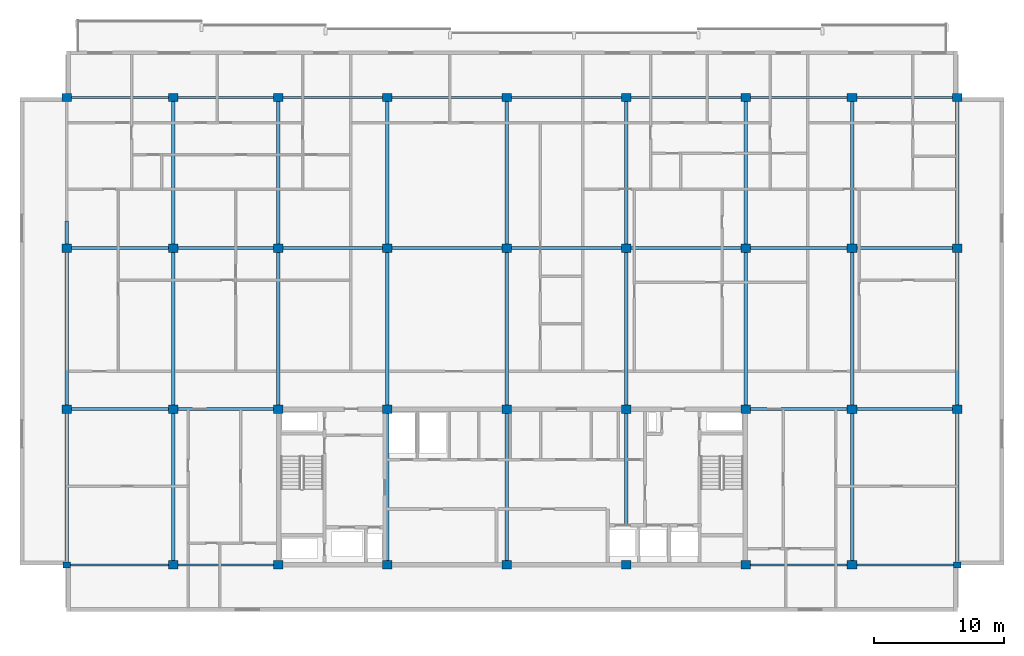
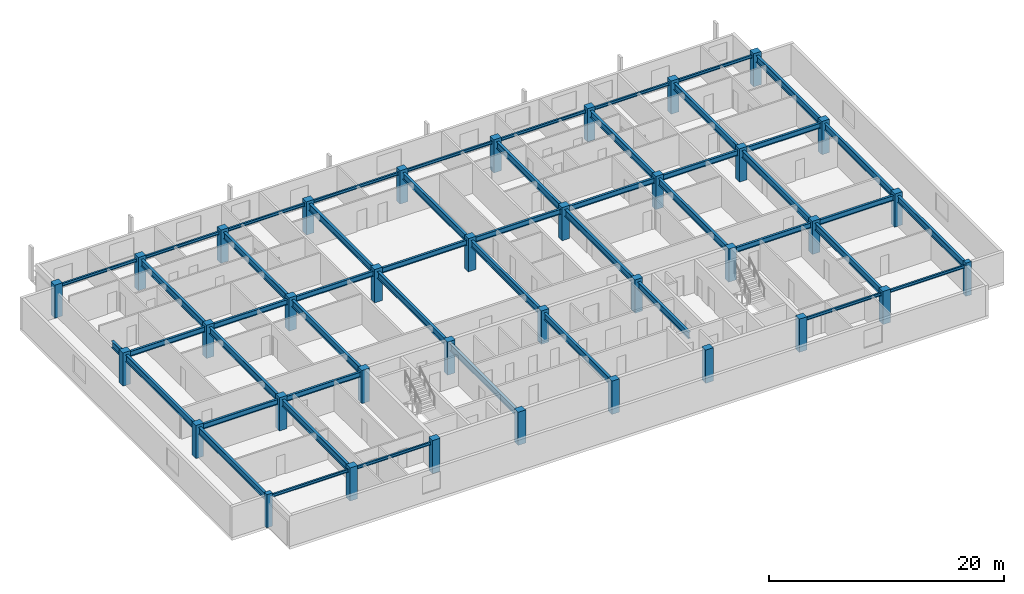
# One storey, part 1 of 10: 49 beams, 36 columns.
"""IFC4 building model written with IfcOpenShell, lengths in metres."""

from ifc_helpers import new_model, si_unit, direction, frame, origin, origin_2d, place, context, subcontext, project, spatial, rectangle, i_section, extrude, material, material_profile, profile_set, type_object, element, save


model = new_model("IFC4")

# Units and contexts
model_context = context("Model", 3, precision=1e-05, world=origin(), true_north=direction((0.0, 1.0)))
body_context = subcontext(model_context, "Body", "Model", "MODEL_VIEW")
ifc_project = project(units=[si_unit("LENGTHUNIT", "METRE"), si_unit("AREAUNIT", "SQUARE_METRE"), si_unit("VOLUMEUNIT", "CUBIC_METRE"), si_unit("PLANEANGLEUNIT", "RADIAN"), si_unit("MASSUNIT", "GRAM", prefix="KILO")], contexts=[model_context])

# Site, building, storey
site_placement = place(None, origin())
site = spatial("IfcSite", under=ifc_project, at=site_placement, CompositionType="ELEMENT")
building_placement = place(site_placement, origin())
building = spatial("IfcBuilding", under=site, at=building_placement, Name="Korimba Cascade Residences", CompositionType="ELEMENT")
storey_placement = place(building_placement, frame((0.0, 0.0, 232.10009765625)))
storey = spatial("IfcBuildingStorey", under=building, at=storey_placement, Name="L67", CompositionType="ELEMENT", Elevation=232.10009765625)

# Columns
ifc_material_1 = material(Name="Concrete C65/80", Category="concrete")
ifc_material_profile_1 = material_profile(ifc_material_1, rectangle(XDim=0.550048828125, YDim=0.449951171875, at=origin_2d()), Name="Concrete C65/80")
ifc_profile_set_1 = profile_set([ifc_material_profile_1], Name="Concrete C65/80")
column_type_1 = type_object("IfcColumnType", Name="COL-PIL-550", PredefinedType="PILASTER", material=ifc_profile_set_1)
for number, where, z_axis, x_axis, name in (
    (1, (59.800048828125, 55.199951171875, 0.0), (0.0, 0.0, 1.0), (1.0, 0.0, 0.0), "L67 Tower 1 Column 1.1"),
    (2, (128.39990234375, 55.199951171875, 0.0), (0.0, 0.0, 1.0), (1.0, 0.0, 0.0), "L67 Tower 1 Column 9.1"),
):
    element("IfcColumn", number, at=place(storey_placement, frame(where, z_axis=z_axis, x_axis=x_axis)), inside=storey, type_object=column_type_1, Name=name, PredefinedType="PILASTER", context=body_context, shape_type="SweptSolid", body=[
        extrude(rectangle(XDim=0.550048828125, YDim=0.449951171875, at=origin_2d()), origin(), (0.0, 0.0, 1.0), 3.449951171875),
    ])
ifc_material_2 = material(Name="Concrete C50/60", Category="concrete")
ifc_material_profile_2 = material_profile(ifc_material_2, rectangle(XDim=0.75, YDim=0.64990234375, at=origin_2d()), Name="Concrete C50/60")
ifc_profile_set_2 = profile_set([ifc_material_profile_2], Name="Concrete C50/60")
column_type_2 = type_object("IfcColumnType", Name="COL-RC-750", PredefinedType="COLUMN", material=ifc_profile_set_2)
for number, where, z_axis, x_axis, name in (
    (3, (59.800048828125, 67.199951171875, 0.0), (0.0, 0.0, 1.0), (1.0, 0.0, 0.0), "L67 Tower 1 Column 1.2"),
    (4, (59.800048828125, 79.60009765625, 0.0), (0.0, 0.0, 1.0), (1.0, 0.0, 0.0), "L67 Tower 1 Column 1.3"),
    (5, (59.800048828125, 91.199951171875, 0.0), (0.0, 0.0, 1.0), (1.0, 0.0, 0.0), "L67 Tower 1 Column 1.4"),
    (6, (68.0, 55.199951171875, 0.0), (0.0, 0.0, 1.0), (1.0, 0.0, 0.0), "L67 Tower 1 Column 2.1"),
    (7, (68.0, 67.199951171875, 0.0), (0.0, 0.0, 1.0), (1.0, 0.0, 0.0), "L67 Tower 1 Column 2.2"),
    (8, (68.0, 79.60009765625, 0.0), (0.0, 0.0, 1.0), (1.0, 0.0, 0.0), "L67 Tower 1 Column 2.3"),
    (9, (68.0, 91.199951171875, 0.0), (0.0, 0.0, 1.0), (1.0, 0.0, 0.0), "L67 Tower 1 Column 2.4"),
    (10, (76.10009765625, 55.199951171875, 0.0), (0.0, 0.0, 1.0), (1.0, 0.0, 0.0), "L67 Tower 1 Column 3.1"),
    (11, (76.10009765625, 67.199951171875, 0.0), (0.0, 0.0, 1.0), (1.0, 0.0, 0.0), "L67 Tower 1 Column 3.2"),
    (12, (76.10009765625, 79.60009765625, 0.0), (0.0, 0.0, 1.0), (1.0, 0.0, 0.0), "L67 Tower 1 Column 3.3"),
    (13, (76.10009765625, 91.199951171875, 0.0), (0.0, 0.0, 1.0), (1.0, 0.0, 0.0), "L67 Tower 1 Column 3.4"),
    (14, (84.5, 55.199951171875, 0.0), (0.0, 0.0, 1.0), (1.0, 0.0, 0.0), "L67 Tower 1 Column 4.1"),
    (15, (84.5, 67.199951171875, 0.0), (0.0, 0.0, 1.0), (1.0, 0.0, 0.0), "L67 Tower 1 Column 4.2"),
    (16, (84.5, 79.60009765625, 0.0), (0.0, 0.0, 1.0), (1.0, 0.0, 0.0), "L67 Tower 1 Column 4.3"),
    (17, (84.5, 91.199951171875, 0.0), (0.0, 0.0, 1.0), (1.0, 0.0, 0.0), "L67 Tower 1 Column 4.4"),
    (18, (93.699951171875, 55.199951171875, 0.0), (0.0, 0.0, 1.0), (1.0, 0.0, 0.0), "L67 Tower 1 Column 5.1"),
    (19, (93.699951171875, 67.199951171875, 0.0), (0.0, 0.0, 1.0), (1.0, 0.0, 0.0), "L67 Tower 1 Column 5.2"),
    (20, (93.699951171875, 79.60009765625, 0.0), (0.0, 0.0, 1.0), (1.0, 0.0, 0.0), "L67 Tower 1 Column 5.3"),
    (21, (93.699951171875, 91.199951171875, 0.0), (0.0, 0.0, 1.0), (1.0, 0.0, 0.0), "L67 Tower 1 Column 5.4"),
    (22, (102.89990234375, 55.199951171875, 0.0), (0.0, 0.0, 1.0), (1.0, 0.0, 0.0), "L67 Tower 1 Column 6.1"),
    (23, (102.89990234375, 67.199951171875, 0.0), (0.0, 0.0, 1.0), (1.0, 0.0, 0.0), "L67 Tower 1 Column 6.2"),
    (24, (102.89990234375, 79.60009765625, 0.0), (0.0, 0.0, 1.0), (1.0, 0.0, 0.0), "L67 Tower 1 Column 6.3"),
    (25, (102.89990234375, 91.199951171875, 0.0), (0.0, 0.0, 1.0), (1.0, 0.0, 0.0), "L67 Tower 1 Column 6.4"),
    (26, (112.10009765625, 55.199951171875, 0.0), (0.0, 0.0, 1.0), (1.0, 0.0, 0.0), "L67 Tower 1 Column 7.1"),
    (27, (112.10009765625, 67.199951171875, 0.0), (0.0, 0.0, 1.0), (1.0, 0.0, 0.0), "L67 Tower 1 Column 7.2"),
    (28, (112.10009765625, 79.60009765625, 0.0), (0.0, 0.0, 1.0), (1.0, 0.0, 0.0), "L67 Tower 1 Column 7.3"),
    (29, (112.10009765625, 91.199951171875, 0.0), (0.0, 0.0, 1.0), (1.0, 0.0, 0.0), "L67 Tower 1 Column 7.4"),
    (30, (120.300048828125, 55.199951171875, 0.0), (0.0, 0.0, 1.0), (1.0, 0.0, 0.0), "L67 Tower 1 Column 8.1"),
    (31, (120.300048828125, 67.199951171875, 0.0), (0.0, 0.0, 1.0), (1.0, 0.0, 0.0), "L67 Tower 1 Column 8.2"),
    (32, (120.300048828125, 79.60009765625, 0.0), (0.0, 0.0, 1.0), (1.0, 0.0, 0.0), "L67 Tower 1 Column 8.3"),
    (33, (120.300048828125, 91.199951171875, 0.0), (0.0, 0.0, 1.0), (1.0, 0.0, 0.0), "L67 Tower 1 Column 8.4"),
    (34, (128.39990234375, 67.199951171875, 0.0), (0.0, 0.0, 1.0), (1.0, 0.0, 0.0), "L67 Tower 1 Column 9.2"),
    (35, (128.39990234375, 79.60009765625, 0.0), (0.0, 0.0, 1.0), (1.0, 0.0, 0.0), "L67 Tower 1 Column 9.3"),
    (36, (128.39990234375, 91.199951171875, 0.0), (0.0, 0.0, 1.0), (1.0, 0.0, 0.0), "L67 Tower 1 Column 9.4"),
):
    element("IfcColumn", number, at=place(storey_placement, frame(where, z_axis=z_axis, x_axis=x_axis)), inside=storey, type_object=column_type_2, Name=name, PredefinedType="COLUMN", context=body_context, shape_type="SweptSolid", body=[
        extrude(rectangle(XDim=0.75, YDim=0.64990234375, at=origin_2d()), origin(), (0.0, 0.0, 1.0), 3.449951171875),
    ])

# Beams
ifc_material_3 = material(Name="Steel S355", Category="steel")
ifc_material_profile_3 = material_profile(ifc_material_3, i_section(OverallWidth=0.165771484375, OverallDepth=0.306640625, WebThickness=0.006591796875, FlangeThickness=0.01171875, FilletRadius=0.0087890625, at=origin_2d()), Name="Steel S355")
ifc_profile_set_3 = profile_set([ifc_material_profile_3], Name="Steel S355")
beam_type_1 = type_object("IfcBeamType", Name="BM-STL-UB305", PredefinedType="SPANDREL", material=ifc_profile_set_3)
beam_1_placement = place(storey_placement, frame((60.074951171875, 55.199951171875, 3.0166015625), z_axis=(1.0, 0.0, 0.0), x_axis=(0.0, 1.0, 0.0)))
element("IfcBeam", 37, at=beam_1_placement, inside=storey, type_object=beam_type_1, Name="L67 T1 E-W Girder Y1 Bay 1", PredefinedType="SPANDREL", context=body_context, shape_type="SweptSolid", body=[
    extrude(i_section(OverallWidth=0.165771484375, OverallDepth=0.306640625, WebThickness=0.006591796875, FlangeThickness=0.01171875, FilletRadius=0.0087890625, at=origin_2d()), origin(), (0.0, 0.0, 1.0), 7.550048828125),
])
beam_2_placement = place(storey_placement, frame((68.375, 55.199951171875, 3.0166015625), z_axis=(1.0, 0.0, 0.0), x_axis=(0.0, 1.0, 0.0)))
element("IfcBeam", 38, at=beam_2_placement, inside=storey, type_object=beam_type_1, Name="L67 T1 E-W Girder Y1 Bay 2", PredefinedType="SPANDREL", context=body_context, shape_type="SweptSolid", body=[
    extrude(i_section(OverallWidth=0.165771484375, OverallDepth=0.306640625, WebThickness=0.006591796875, FlangeThickness=0.01171875, FilletRadius=0.0087890625, at=origin_2d()), origin(), (0.0, 0.0, 1.0), 7.35009765625),
])
for number, where, z_axis, x_axis, name in (
    (39, (112.47509765625, 55.199951171875, 3.0166015625), (1.0, 0.0, 0.0), (0.0, 1.0, 0.0), "L67 T1 E-W Girder Y1 Bay 7"),
    (40, (120.675048828125, 55.199951171875, 3.0166015625), (1.0, 0.0, 0.0), (0.0, 1.0, 0.0), "L67 T1 E-W Girder Y1 Bay 8"),
    (41, (60.175048828125, 91.199951171875, 3.0166015625), (1.0, 0.0, 0.0), (0.0, 1.0, 0.0), "L67 T1 E-W Girder Y4 Bay 1"),
):
    element("IfcBeam", number, at=place(storey_placement, frame(where, z_axis=z_axis, x_axis=x_axis)), inside=storey, type_object=beam_type_1, Name=name, PredefinedType="SPANDREL", context=body_context, shape_type="SweptSolid", body=[
        extrude(i_section(OverallWidth=0.165771484375, OverallDepth=0.306640625, WebThickness=0.006591796875, FlangeThickness=0.01171875, FilletRadius=0.0087890625, at=origin_2d()), origin(), (0.0, 0.0, 1.0), 7.449951171875),
    ])
beam_3_placement = place(storey_placement, frame((68.375, 91.199951171875, 3.0166015625), z_axis=(1.0, 0.0, 0.0), x_axis=(0.0, 1.0, 0.0)))
element("IfcBeam", 42, at=beam_3_placement, inside=storey, type_object=beam_type_1, Name="L67 T1 E-W Girder Y4 Bay 2", PredefinedType="SPANDREL", context=body_context, shape_type="SweptSolid", body=[
    extrude(i_section(OverallWidth=0.165771484375, OverallDepth=0.306640625, WebThickness=0.006591796875, FlangeThickness=0.01171875, FilletRadius=0.0087890625, at=origin_2d()), origin(), (0.0, 0.0, 1.0), 7.35009765625),
])
beam_4_placement = place(storey_placement, frame((76.47509765625, 91.199951171875, 3.0166015625), z_axis=(1.0, 0.0, 0.0), x_axis=(0.0, 1.0, 0.0)))
element("IfcBeam", 43, at=beam_4_placement, inside=storey, type_object=beam_type_1, Name="L67 T1 E-W Girder Y4 Bay 3", PredefinedType="SPANDREL", context=body_context, shape_type="SweptSolid", body=[
    extrude(i_section(OverallWidth=0.165771484375, OverallDepth=0.306640625, WebThickness=0.006591796875, FlangeThickness=0.01171875, FilletRadius=0.0087890625, at=origin_2d()), origin(), (0.0, 0.0, 1.0), 7.64990234375),
])
for number, where, z_axis, x_axis, name in (
    (44, (84.875, 91.199951171875, 3.0166015625), (1.0, 0.0, 0.0), (0.0, 1.0, 0.0), "L67 T1 E-W Girder Y4 Bay 4"),
    (45, (94.074951171875, 91.199951171875, 3.0166015625), (1.0, 0.0, 0.0), (0.0, 1.0, 0.0), "L67 T1 E-W Girder Y4 Bay 5"),
):
    element("IfcBeam", number, at=place(storey_placement, frame(where, z_axis=z_axis, x_axis=x_axis)), inside=storey, type_object=beam_type_1, Name=name, PredefinedType="SPANDREL", context=body_context, shape_type="SweptSolid", body=[
        extrude(i_section(OverallWidth=0.165771484375, OverallDepth=0.306640625, WebThickness=0.006591796875, FlangeThickness=0.01171875, FilletRadius=0.0087890625, at=origin_2d()), origin(), (0.0, 0.0, 1.0), 8.449951171875),
    ])
beam_5_placement = place(storey_placement, frame((103.27490234375, 91.199951171875, 3.0166015625), z_axis=(1.0, 0.0, 0.0), x_axis=(0.0, 1.0, 0.0)))
element("IfcBeam", 46, at=beam_5_placement, inside=storey, type_object=beam_type_1, Name="L67 T1 E-W Girder Y4 Bay 6", PredefinedType="SPANDREL", context=body_context, shape_type="SweptSolid", body=[
    extrude(i_section(OverallWidth=0.165771484375, OverallDepth=0.306640625, WebThickness=0.006591796875, FlangeThickness=0.01171875, FilletRadius=0.0087890625, at=origin_2d()), origin(), (0.0, 0.0, 1.0), 8.4501953125),
])
beam_6_placement = place(storey_placement, frame((112.47509765625, 91.199951171875, 3.0166015625), z_axis=(1.0, 0.0, 0.0), x_axis=(0.0, 1.0, 0.0)))
element("IfcBeam", 47, at=beam_6_placement, inside=storey, type_object=beam_type_1, Name="L67 T1 E-W Girder Y4 Bay 7", PredefinedType="SPANDREL", context=body_context, shape_type="SweptSolid", body=[
    extrude(i_section(OverallWidth=0.165771484375, OverallDepth=0.306640625, WebThickness=0.006591796875, FlangeThickness=0.01171875, FilletRadius=0.0087890625, at=origin_2d()), origin(), (0.0, 0.0, 1.0), 7.449951171875),
])
beam_7_placement = place(storey_placement, frame((120.675048828125, 91.199951171875, 3.0166015625), z_axis=(1.0, 0.0, 0.0), x_axis=(0.0, 1.0, 0.0)))
element("IfcBeam", 48, at=beam_7_placement, inside=storey, type_object=beam_type_1, Name="L67 T1 E-W Girder Y4 Bay 8", PredefinedType="SPANDREL", context=body_context, shape_type="SweptSolid", body=[
    extrude(i_section(OverallWidth=0.165771484375, OverallDepth=0.306640625, WebThickness=0.006591796875, FlangeThickness=0.01171875, FilletRadius=0.0087890625, at=origin_2d()), origin(), (0.0, 0.0, 1.0), 7.349853515625),
])
ifc_material_profile_4 = material_profile(ifc_material_3, i_section(OverallWidth=0.2099609375, OverallDepth=0.53662109375, WebThickness=0.0107421875, FlangeThickness=0.017333984375, FilletRadius=0.0126953125, at=origin_2d()), Name="Steel S355")
ifc_profile_set_4 = profile_set([ifc_material_profile_4], Name="Steel S355")
beam_type_2 = type_object("IfcBeamType", Name="BM-STL-UB533", PredefinedType="BEAM", material=ifc_profile_set_4)
beam_8_placement = place(storey_placement, frame((60.175048828125, 67.199951171875, 2.901611328125), z_axis=(1.0, 0.0, 0.0), x_axis=(0.0, 1.0, 0.0)))
element("IfcBeam", 49, at=beam_8_placement, inside=storey, type_object=beam_type_2, Name="L67 T1 E-W Girder Y2 Bay 1", PredefinedType="BEAM", context=body_context, shape_type="SweptSolid", body=[
    extrude(i_section(OverallWidth=0.2099609375, OverallDepth=0.53662109375, WebThickness=0.0107421875, FlangeThickness=0.017333984375, FilletRadius=0.0126953125, at=origin_2d()), origin(), (0.0, 0.0, 1.0), 7.449951171875),
])
beam_9_placement = place(storey_placement, frame((68.375, 67.199951171875, 2.901611328125), z_axis=(1.0, 0.0, 0.0), x_axis=(0.0, 1.0, 0.0)))
element("IfcBeam", 50, at=beam_9_placement, inside=storey, type_object=beam_type_2, Name="L67 T1 E-W Girder Y2 Bay 2", PredefinedType="BEAM", context=body_context, shape_type="SweptSolid", body=[
    extrude(i_section(OverallWidth=0.2099609375, OverallDepth=0.53662109375, WebThickness=0.0107421875, FlangeThickness=0.017333984375, FilletRadius=0.0126953125, at=origin_2d()), origin(), (0.0, 0.0, 1.0), 7.35009765625),
])
beam_10_placement = place(storey_placement, frame((112.47509765625, 67.199951171875, 2.901611328125), z_axis=(1.0, 0.0, 0.0), x_axis=(0.0, 1.0, 0.0)))
element("IfcBeam", 51, at=beam_10_placement, inside=storey, type_object=beam_type_2, Name="L67 T1 E-W Girder Y2 Bay 7", PredefinedType="BEAM", context=body_context, shape_type="SweptSolid", body=[
    extrude(i_section(OverallWidth=0.2099609375, OverallDepth=0.53662109375, WebThickness=0.0107421875, FlangeThickness=0.017333984375, FilletRadius=0.0126953125, at=origin_2d()), origin(), (0.0, 0.0, 1.0), 7.449951171875),
])
beam_11_placement = place(storey_placement, frame((120.675048828125, 67.199951171875, 2.901611328125), z_axis=(1.0, 0.0, 0.0), x_axis=(0.0, 1.0, 0.0)))
element("IfcBeam", 52, at=beam_11_placement, inside=storey, type_object=beam_type_2, Name="L67 T1 E-W Girder Y2 Bay 8", PredefinedType="BEAM", context=body_context, shape_type="SweptSolid", body=[
    extrude(i_section(OverallWidth=0.2099609375, OverallDepth=0.53662109375, WebThickness=0.0107421875, FlangeThickness=0.017333984375, FilletRadius=0.0126953125, at=origin_2d()), origin(), (0.0, 0.0, 1.0), 7.349853515625),
])
beam_12_placement = place(storey_placement, frame((60.175048828125, 79.60009765625, 2.901611328125), z_axis=(1.0, 0.0, 0.0), x_axis=(0.0, 1.0, 0.0)))
element("IfcBeam", 53, at=beam_12_placement, inside=storey, type_object=beam_type_2, Name="L67 T1 E-W Girder Y3 Bay 1", PredefinedType="BEAM", context=body_context, shape_type="SweptSolid", body=[
    extrude(i_section(OverallWidth=0.2099609375, OverallDepth=0.53662109375, WebThickness=0.0107421875, FlangeThickness=0.017333984375, FilletRadius=0.0126953125, at=origin_2d()), origin(), (0.0, 0.0, 1.0), 7.449951171875),
])
beam_13_placement = place(storey_placement, frame((68.375, 79.60009765625, 2.901611328125), z_axis=(1.0, 0.0, 0.0), x_axis=(0.0, 1.0, 0.0)))
element("IfcBeam", 54, at=beam_13_placement, inside=storey, type_object=beam_type_2, Name="L67 T1 E-W Girder Y3 Bay 2", PredefinedType="BEAM", context=body_context, shape_type="SweptSolid", body=[
    extrude(i_section(OverallWidth=0.2099609375, OverallDepth=0.53662109375, WebThickness=0.0107421875, FlangeThickness=0.017333984375, FilletRadius=0.0126953125, at=origin_2d()), origin(), (0.0, 0.0, 1.0), 7.35009765625),
])
beam_14_placement = place(storey_placement, frame((76.47509765625, 79.60009765625, 2.901611328125), z_axis=(1.0, 0.0, 0.0), x_axis=(0.0, 1.0, 0.0)))
element("IfcBeam", 55, at=beam_14_placement, inside=storey, type_object=beam_type_2, Name="L67 T1 E-W Girder Y3 Bay 3", PredefinedType="BEAM", context=body_context, shape_type="SweptSolid", body=[
    extrude(i_section(OverallWidth=0.2099609375, OverallDepth=0.53662109375, WebThickness=0.0107421875, FlangeThickness=0.017333984375, FilletRadius=0.0126953125, at=origin_2d()), origin(), (0.0, 0.0, 1.0), 7.64990234375),
])
for number, where, z_axis, x_axis, name in (
    (56, (84.875, 79.60009765625, 2.901611328125), (1.0, 0.0, 0.0), (0.0, 1.0, 0.0), "L67 T1 E-W Girder Y3 Bay 4"),
    (57, (94.074951171875, 79.60009765625, 2.901611328125), (1.0, 0.0, 0.0), (0.0, 1.0, 0.0), "L67 T1 E-W Girder Y3 Bay 5"),
):
    element("IfcBeam", number, at=place(storey_placement, frame(where, z_axis=z_axis, x_axis=x_axis)), inside=storey, type_object=beam_type_2, Name=name, PredefinedType="BEAM", context=body_context, shape_type="SweptSolid", body=[
        extrude(i_section(OverallWidth=0.2099609375, OverallDepth=0.53662109375, WebThickness=0.0107421875, FlangeThickness=0.017333984375, FilletRadius=0.0126953125, at=origin_2d()), origin(), (0.0, 0.0, 1.0), 8.449951171875),
    ])
beam_15_placement = place(storey_placement, frame((103.27490234375, 79.60009765625, 2.901611328125), z_axis=(1.0, 0.0, 0.0), x_axis=(0.0, 1.0, 0.0)))
element("IfcBeam", 58, at=beam_15_placement, inside=storey, type_object=beam_type_2, Name="L67 T1 E-W Girder Y3 Bay 6", PredefinedType="BEAM", context=body_context, shape_type="SweptSolid", body=[
    extrude(i_section(OverallWidth=0.2099609375, OverallDepth=0.53662109375, WebThickness=0.0107421875, FlangeThickness=0.017333984375, FilletRadius=0.0126953125, at=origin_2d()), origin(), (0.0, 0.0, 1.0), 8.4501953125),
])
beam_16_placement = place(storey_placement, frame((112.47509765625, 79.60009765625, 2.901611328125), z_axis=(1.0, 0.0, 0.0), x_axis=(0.0, 1.0, 0.0)))
element("IfcBeam", 59, at=beam_16_placement, inside=storey, type_object=beam_type_2, Name="L67 T1 E-W Girder Y3 Bay 7", PredefinedType="BEAM", context=body_context, shape_type="SweptSolid", body=[
    extrude(i_section(OverallWidth=0.2099609375, OverallDepth=0.53662109375, WebThickness=0.0107421875, FlangeThickness=0.017333984375, FilletRadius=0.0126953125, at=origin_2d()), origin(), (0.0, 0.0, 1.0), 7.449951171875),
])
beam_17_placement = place(storey_placement, frame((120.675048828125, 79.60009765625, 2.901611328125), z_axis=(1.0, 0.0, 0.0), x_axis=(0.0, 1.0, 0.0)))
element("IfcBeam", 60, at=beam_17_placement, inside=storey, type_object=beam_type_2, Name="L67 T1 E-W Girder Y3 Bay 8", PredefinedType="BEAM", context=body_context, shape_type="SweptSolid", body=[
    extrude(i_section(OverallWidth=0.2099609375, OverallDepth=0.53662109375, WebThickness=0.0107421875, FlangeThickness=0.017333984375, FilletRadius=0.0126953125, at=origin_2d()), origin(), (0.0, 0.0, 1.0), 7.349853515625),
])
ifc_material_profile_5 = material_profile(ifc_material_3, i_section(OverallWidth=0.255859375, OverallDepth=0.69287109375, WebThickness=0.014404296875, FlangeThickness=0.023681640625, FilletRadius=0.01513671875, at=origin_2d()), Name="Steel S355")
ifc_profile_set_5 = profile_set([ifc_material_profile_5], Name="Steel S355")
beam_type_3 = type_object("IfcBeamType", Name="BM-STL-UB686", PredefinedType="BEAM", material=ifc_profile_set_5)
beam_18_placement = place(storey_placement, frame((59.800048828125, 55.425048828125, 2.823486328125), z_axis=(0.0, 1.0, 0.0), x_axis=(-1.0, 0.0, 0.0)))
element("IfcBeam", 61, at=beam_18_placement, inside=storey, type_object=beam_type_3, Name="L67 T1 N-S Girder X1 Seg 1", PredefinedType="BEAM", context=body_context, shape_type="SweptSolid", body=[
    extrude(i_section(OverallWidth=0.255859375, OverallDepth=0.69287109375, WebThickness=0.014404296875, FlangeThickness=0.023681640625, FilletRadius=0.01513671875, at=origin_2d()), origin(), (0.0, 0.0, 1.0), 11.449951171875),
])
beam_19_placement = place(storey_placement, frame((59.800048828125, 67.52490234375, 2.823486328125), z_axis=(0.0, 1.0, 0.0), x_axis=(-1.0, 0.0, 0.0)))
element("IfcBeam", 62, at=beam_19_placement, inside=storey, type_object=beam_type_3, Name="L67 T1 N-S Girder X1 Seg 2", PredefinedType="BEAM", context=body_context, shape_type="SweptSolid", body=[
    extrude(i_section(OverallWidth=0.255859375, OverallDepth=0.69287109375, WebThickness=0.014404296875, FlangeThickness=0.023681640625, FilletRadius=0.01513671875, at=origin_2d()), origin(), (0.0, 0.0, 1.0), 11.75),
])
beam_20_placement = place(storey_placement, frame((59.800048828125, 79.925048828125, 2.823486328125), z_axis=(0.0, 1.0, 0.0), x_axis=(-1.0, 0.0, 0.0)))
element("IfcBeam", 63, at=beam_20_placement, inside=storey, type_object=beam_type_3, Name="L67 T1 N-S Girder X1 Seg 3", PredefinedType="BEAM", context=body_context, shape_type="SweptSolid", body=[
    extrude(i_section(OverallWidth=0.255859375, OverallDepth=0.69287109375, WebThickness=0.014404296875, FlangeThickness=0.023681640625, FilletRadius=0.01513671875, at=origin_2d()), origin(), (0.0, 0.0, 1.0), 1.77490234375),
])
beam_21_placement = place(storey_placement, frame((68.0, 55.52490234375, 2.823486328125), z_axis=(0.0, 1.0, 0.0), x_axis=(-1.0, 0.0, 0.0)))
element("IfcBeam", 64, at=beam_21_placement, inside=storey, type_object=beam_type_3, Name="L67 T1 N-S Girder X2 Seg 1", PredefinedType="BEAM", context=body_context, shape_type="SweptSolid", body=[
    extrude(i_section(OverallWidth=0.255859375, OverallDepth=0.69287109375, WebThickness=0.014404296875, FlangeThickness=0.023681640625, FilletRadius=0.01513671875, at=origin_2d()), origin(), (0.0, 0.0, 1.0), 11.35009765625),
])
beam_22_placement = place(storey_placement, frame((68.0, 67.52490234375, 2.823486328125), z_axis=(0.0, 1.0, 0.0), x_axis=(-1.0, 0.0, 0.0)))
element("IfcBeam", 65, at=beam_22_placement, inside=storey, type_object=beam_type_3, Name="L67 T1 N-S Girder X2 Seg 2", PredefinedType="BEAM", context=body_context, shape_type="SweptSolid", body=[
    extrude(i_section(OverallWidth=0.255859375, OverallDepth=0.69287109375, WebThickness=0.014404296875, FlangeThickness=0.023681640625, FilletRadius=0.01513671875, at=origin_2d()), origin(), (0.0, 0.0, 1.0), 11.75),
])
beam_23_placement = place(storey_placement, frame((68.0, 79.925048828125, 2.823486328125), z_axis=(0.0, 1.0, 0.0), x_axis=(-1.0, 0.0, 0.0)))
element("IfcBeam", 66, at=beam_23_placement, inside=storey, type_object=beam_type_3, Name="L67 T1 N-S Girder X2 Seg 3", PredefinedType="BEAM", context=body_context, shape_type="SweptSolid", body=[
    extrude(i_section(OverallWidth=0.255859375, OverallDepth=0.69287109375, WebThickness=0.014404296875, FlangeThickness=0.023681640625, FilletRadius=0.01513671875, at=origin_2d()), origin(), (0.0, 0.0, 1.0), 10.949951171875),
])
beam_24_placement = place(storey_placement, frame((76.10009765625, 67.52490234375, 2.823486328125), z_axis=(0.0, 1.0, 0.0), x_axis=(-1.0, 0.0, 0.0)))
element("IfcBeam", 67, at=beam_24_placement, inside=storey, type_object=beam_type_3, Name="L67 T1 N-S Girder X3 Seg 2", PredefinedType="BEAM", context=body_context, shape_type="SweptSolid", body=[
    extrude(i_section(OverallWidth=0.255859375, OverallDepth=0.69287109375, WebThickness=0.014404296875, FlangeThickness=0.023681640625, FilletRadius=0.01513671875, at=origin_2d()), origin(), (0.0, 0.0, 1.0), 11.75),
])
beam_25_placement = place(storey_placement, frame((76.10009765625, 79.925048828125, 2.823486328125), z_axis=(0.0, 1.0, 0.0), x_axis=(-1.0, 0.0, 0.0)))
element("IfcBeam", 68, at=beam_25_placement, inside=storey, type_object=beam_type_3, Name="L67 T1 N-S Girder X3 Seg 3", PredefinedType="BEAM", context=body_context, shape_type="SweptSolid", body=[
    extrude(i_section(OverallWidth=0.255859375, OverallDepth=0.69287109375, WebThickness=0.014404296875, FlangeThickness=0.023681640625, FilletRadius=0.01513671875, at=origin_2d()), origin(), (0.0, 0.0, 1.0), 10.949951171875),
])
beam_26_placement = place(storey_placement, frame((84.5, 55.52490234375, 2.823486328125), z_axis=(0.0, 1.0, 0.0), x_axis=(-1.0, 0.0, 0.0)))
element("IfcBeam", 69, at=beam_26_placement, inside=storey, type_object=beam_type_3, Name="L67 T1 N-S Girder X4 Seg 1", PredefinedType="BEAM", context=body_context, shape_type="SweptSolid", body=[
    extrude(i_section(OverallWidth=0.255859375, OverallDepth=0.69287109375, WebThickness=0.014404296875, FlangeThickness=0.023681640625, FilletRadius=0.01513671875, at=origin_2d()), origin(), (0.0, 0.0, 1.0), 11.35009765625),
])
beam_27_placement = place(storey_placement, frame((84.5, 67.52490234375, 2.823486328125), z_axis=(0.0, 1.0, 0.0), x_axis=(-1.0, 0.0, 0.0)))
element("IfcBeam", 70, at=beam_27_placement, inside=storey, type_object=beam_type_3, Name="L67 T1 N-S Girder X4 Seg 2", PredefinedType="BEAM", context=body_context, shape_type="SweptSolid", body=[
    extrude(i_section(OverallWidth=0.255859375, OverallDepth=0.69287109375, WebThickness=0.014404296875, FlangeThickness=0.023681640625, FilletRadius=0.01513671875, at=origin_2d()), origin(), (0.0, 0.0, 1.0), 11.75),
])
beam_28_placement = place(storey_placement, frame((84.5, 79.925048828125, 2.823486328125), z_axis=(0.0, 1.0, 0.0), x_axis=(-1.0, 0.0, 0.0)))
element("IfcBeam", 71, at=beam_28_placement, inside=storey, type_object=beam_type_3, Name="L67 T1 N-S Girder X4 Seg 3", PredefinedType="BEAM", context=body_context, shape_type="SweptSolid", body=[
    extrude(i_section(OverallWidth=0.255859375, OverallDepth=0.69287109375, WebThickness=0.014404296875, FlangeThickness=0.023681640625, FilletRadius=0.01513671875, at=origin_2d()), origin(), (0.0, 0.0, 1.0), 10.949951171875),
])
beam_29_placement = place(storey_placement, frame((93.699951171875, 55.52490234375, 2.823486328125), z_axis=(0.0, 1.0, 0.0), x_axis=(-1.0, 0.0, 0.0)))
element("IfcBeam", 72, at=beam_29_placement, inside=storey, type_object=beam_type_3, Name="L67 T1 N-S Girder X5 Seg 1", PredefinedType="BEAM", context=body_context, shape_type="SweptSolid", body=[
    extrude(i_section(OverallWidth=0.255859375, OverallDepth=0.69287109375, WebThickness=0.014404296875, FlangeThickness=0.023681640625, FilletRadius=0.01513671875, at=origin_2d()), origin(), (0.0, 0.0, 1.0), 11.35009765625),
])
beam_30_placement = place(storey_placement, frame((93.699951171875, 67.52490234375, 2.823486328125), z_axis=(0.0, 1.0, 0.0), x_axis=(-1.0, 0.0, 0.0)))
element("IfcBeam", 73, at=beam_30_placement, inside=storey, type_object=beam_type_3, Name="L67 T1 N-S Girder X5 Seg 2", PredefinedType="BEAM", context=body_context, shape_type="SweptSolid", body=[
    extrude(i_section(OverallWidth=0.255859375, OverallDepth=0.69287109375, WebThickness=0.014404296875, FlangeThickness=0.023681640625, FilletRadius=0.01513671875, at=origin_2d()), origin(), (0.0, 0.0, 1.0), 11.75),
])
beam_31_placement = place(storey_placement, frame((93.699951171875, 79.925048828125, 2.823486328125), z_axis=(0.0, 1.0, 0.0), x_axis=(-1.0, 0.0, 0.0)))
element("IfcBeam", 74, at=beam_31_placement, inside=storey, type_object=beam_type_3, Name="L67 T1 N-S Girder X5 Seg 3", PredefinedType="BEAM", context=body_context, shape_type="SweptSolid", body=[
    extrude(i_section(OverallWidth=0.255859375, OverallDepth=0.69287109375, WebThickness=0.014404296875, FlangeThickness=0.023681640625, FilletRadius=0.01513671875, at=origin_2d()), origin(), (0.0, 0.0, 1.0), 10.949951171875),
])
beam_32_placement = place(storey_placement, frame((102.89990234375, 58.260009765625, 2.823486328125), z_axis=(0.0, 1.0, 0.0), x_axis=(-1.0, 0.0, 0.0)))
element("IfcBeam", 75, at=beam_32_placement, inside=storey, type_object=beam_type_3, Name="L67 T1 N-S Girder X6 Seg 1", PredefinedType="BEAM", context=body_context, shape_type="SweptSolid", body=[
    extrude(i_section(OverallWidth=0.255859375, OverallDepth=0.69287109375, WebThickness=0.014404296875, FlangeThickness=0.023681640625, FilletRadius=0.01513671875, at=origin_2d()), origin(), (0.0, 0.0, 1.0), 8.614990234375),
])
beam_33_placement = place(storey_placement, frame((102.89990234375, 67.52490234375, 2.823486328125), z_axis=(0.0, 1.0, 0.0), x_axis=(-1.0, 0.0, 0.0)))
element("IfcBeam", 76, at=beam_33_placement, inside=storey, type_object=beam_type_3, Name="L67 T1 N-S Girder X6 Seg 2", PredefinedType="BEAM", context=body_context, shape_type="SweptSolid", body=[
    extrude(i_section(OverallWidth=0.255859375, OverallDepth=0.69287109375, WebThickness=0.014404296875, FlangeThickness=0.023681640625, FilletRadius=0.01513671875, at=origin_2d()), origin(), (0.0, 0.0, 1.0), 11.75),
])
beam_34_placement = place(storey_placement, frame((102.89990234375, 79.925048828125, 2.823486328125), z_axis=(0.0, 1.0, 0.0), x_axis=(-1.0, 0.0, 0.0)))
element("IfcBeam", 77, at=beam_34_placement, inside=storey, type_object=beam_type_3, Name="L67 T1 N-S Girder X6 Seg 3", PredefinedType="BEAM", context=body_context, shape_type="SweptSolid", body=[
    extrude(i_section(OverallWidth=0.255859375, OverallDepth=0.69287109375, WebThickness=0.014404296875, FlangeThickness=0.023681640625, FilletRadius=0.01513671875, at=origin_2d()), origin(), (0.0, 0.0, 1.0), 10.949951171875),
])
beam_35_placement = place(storey_placement, frame((112.10009765625, 67.52490234375, 2.823486328125), z_axis=(0.0, 1.0, 0.0), x_axis=(-1.0, 0.0, 0.0)))
element("IfcBeam", 78, at=beam_35_placement, inside=storey, type_object=beam_type_3, Name="L67 T1 N-S Girder X7 Seg 2", PredefinedType="BEAM", context=body_context, shape_type="SweptSolid", body=[
    extrude(i_section(OverallWidth=0.255859375, OverallDepth=0.69287109375, WebThickness=0.014404296875, FlangeThickness=0.023681640625, FilletRadius=0.01513671875, at=origin_2d()), origin(), (0.0, 0.0, 1.0), 11.75),
])
beam_36_placement = place(storey_placement, frame((112.10009765625, 79.925048828125, 2.823486328125), z_axis=(0.0, 1.0, 0.0), x_axis=(-1.0, 0.0, 0.0)))
element("IfcBeam", 79, at=beam_36_placement, inside=storey, type_object=beam_type_3, Name="L67 T1 N-S Girder X7 Seg 3", PredefinedType="BEAM", context=body_context, shape_type="SweptSolid", body=[
    extrude(i_section(OverallWidth=0.255859375, OverallDepth=0.69287109375, WebThickness=0.014404296875, FlangeThickness=0.023681640625, FilletRadius=0.01513671875, at=origin_2d()), origin(), (0.0, 0.0, 1.0), 10.949951171875),
])
beam_37_placement = place(storey_placement, frame((120.300048828125, 55.52490234375, 2.823486328125), z_axis=(0.0, 1.0, 0.0), x_axis=(-1.0, 0.0, 0.0)))
element("IfcBeam", 80, at=beam_37_placement, inside=storey, type_object=beam_type_3, Name="L67 T1 N-S Girder X8 Seg 1", PredefinedType="BEAM", context=body_context, shape_type="SweptSolid", body=[
    extrude(i_section(OverallWidth=0.255859375, OverallDepth=0.69287109375, WebThickness=0.014404296875, FlangeThickness=0.023681640625, FilletRadius=0.01513671875, at=origin_2d()), origin(), (0.0, 0.0, 1.0), 11.35009765625),
])
beam_38_placement = place(storey_placement, frame((120.300048828125, 67.52490234375, 2.823486328125), z_axis=(0.0, 1.0, 0.0), x_axis=(-1.0, 0.0, 0.0)))
element("IfcBeam", 81, at=beam_38_placement, inside=storey, type_object=beam_type_3, Name="L67 T1 N-S Girder X8 Seg 2", PredefinedType="BEAM", context=body_context, shape_type="SweptSolid", body=[
    extrude(i_section(OverallWidth=0.255859375, OverallDepth=0.69287109375, WebThickness=0.014404296875, FlangeThickness=0.023681640625, FilletRadius=0.01513671875, at=origin_2d()), origin(), (0.0, 0.0, 1.0), 11.75),
])
beam_39_placement = place(storey_placement, frame((120.300048828125, 79.925048828125, 2.823486328125), z_axis=(0.0, 1.0, 0.0), x_axis=(-1.0, 0.0, 0.0)))
element("IfcBeam", 82, at=beam_39_placement, inside=storey, type_object=beam_type_3, Name="L67 T1 N-S Girder X8 Seg 3", PredefinedType="BEAM", context=body_context, shape_type="SweptSolid", body=[
    extrude(i_section(OverallWidth=0.255859375, OverallDepth=0.69287109375, WebThickness=0.014404296875, FlangeThickness=0.023681640625, FilletRadius=0.01513671875, at=origin_2d()), origin(), (0.0, 0.0, 1.0), 10.949951171875),
])
beam_40_placement = place(storey_placement, frame((128.39990234375, 55.425048828125, 2.823486328125), z_axis=(0.0, 1.0, 0.0), x_axis=(-1.0, 0.0, 0.0)))
element("IfcBeam", 83, at=beam_40_placement, inside=storey, type_object=beam_type_3, Name="L67 T1 N-S Girder X9 Seg 1", PredefinedType="BEAM", context=body_context, shape_type="SweptSolid", body=[
    extrude(i_section(OverallWidth=0.255859375, OverallDepth=0.69287109375, WebThickness=0.014404296875, FlangeThickness=0.023681640625, FilletRadius=0.01513671875, at=origin_2d()), origin(), (0.0, 0.0, 1.0), 11.449951171875),
])
beam_41_placement = place(storey_placement, frame((128.39990234375, 67.52490234375, 2.823486328125), z_axis=(0.0, 1.0, 0.0), x_axis=(-1.0, 0.0, 0.0)))
element("IfcBeam", 84, at=beam_41_placement, inside=storey, type_object=beam_type_3, Name="L67 T1 N-S Girder X9 Seg 2", PredefinedType="BEAM", context=body_context, shape_type="SweptSolid", body=[
    extrude(i_section(OverallWidth=0.255859375, OverallDepth=0.69287109375, WebThickness=0.014404296875, FlangeThickness=0.023681640625, FilletRadius=0.01513671875, at=origin_2d()), origin(), (0.0, 0.0, 1.0), 11.75),
])
beam_42_placement = place(storey_placement, frame((128.39990234375, 79.925048828125, 2.823486328125), z_axis=(0.0, 1.0, 0.0), x_axis=(-1.0, 0.0, 0.0)))
element("IfcBeam", 85, at=beam_42_placement, inside=storey, type_object=beam_type_3, Name="L67 T1 N-S Girder X9 Seg 3", PredefinedType="BEAM", context=body_context, shape_type="SweptSolid", body=[
    extrude(i_section(OverallWidth=0.255859375, OverallDepth=0.69287109375, WebThickness=0.014404296875, FlangeThickness=0.023681640625, FilletRadius=0.01513671875, at=origin_2d()), origin(), (0.0, 0.0, 1.0), 10.949951171875),
])

save(model, "model.ifc")
